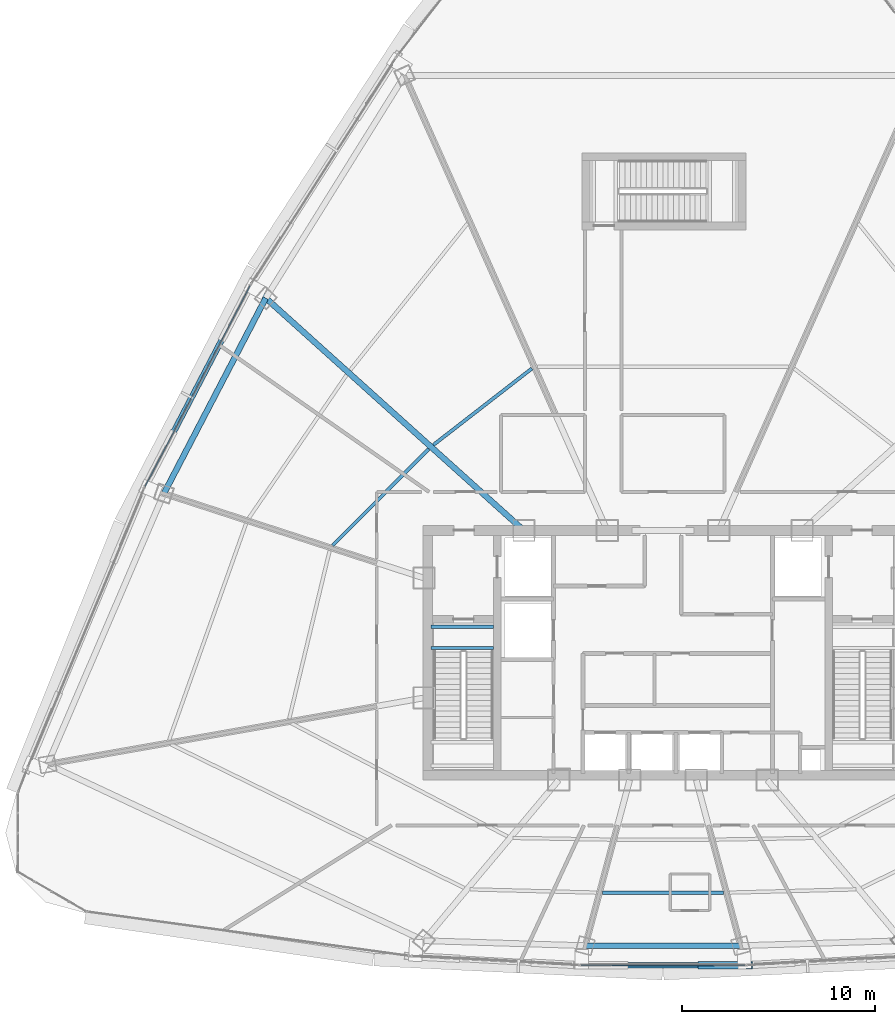
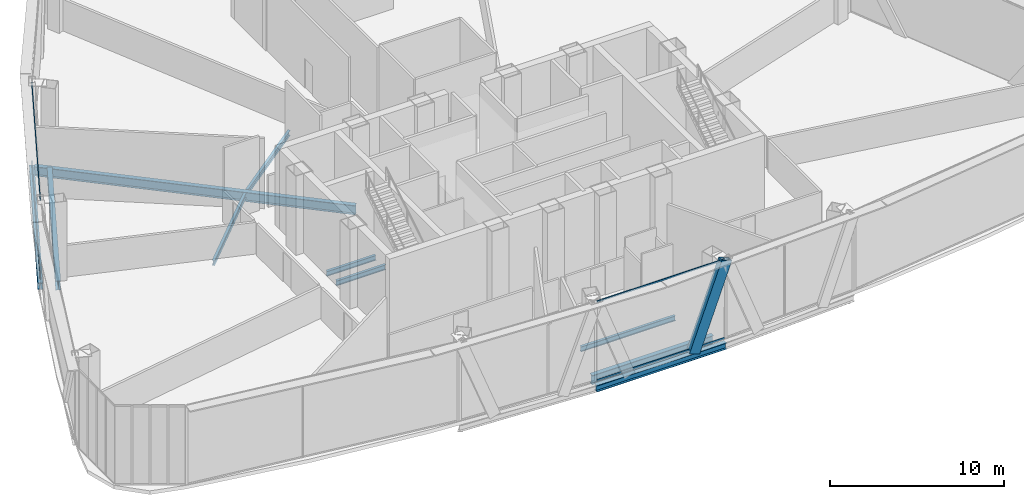
# One storey, part 9 of 38: 10 beams, 5 members, 2 elements without a shape of their own.
"""IFC4 building model written with IfcOpenShell, lengths in metres."""

from ifc_helpers import new_model, si_unit, direction, frame, origin, origin_2d, place, context, subcontext, project, spatial, hollow_rectangle, i_section, extrude, source, transform, mapped, material, layer, layer_set, material_profile, profile_set, type_object, element, aggregate, save


model = new_model("IFC4")

# Units and contexts
model_context = context("Model", 3, precision=1e-05, world=origin(), true_north=direction((0.0, 1.0)))
body_context = subcontext(model_context, "Body", "Model", "MODEL_VIEW")
ifc_project = project(units=[si_unit("LENGTHUNIT", "METRE"), si_unit("AREAUNIT", "SQUARE_METRE"), si_unit("VOLUMEUNIT", "CUBIC_METRE"), si_unit("PLANEANGLEUNIT", "RADIAN"), si_unit("MASSUNIT", "GRAM", prefix="KILO"), si_unit("THERMODYNAMICTEMPERATUREUNIT", "KELVIN"), si_unit("POWERUNIT", "WATT")], contexts=[model_context])

# Site, building, storey
site_placement = place(None, origin())
site = spatial("IfcSite", under=ifc_project, at=site_placement, CompositionType="ELEMENT")
building_placement = place(site_placement, origin())
building = spatial("IfcBuilding", under=site, at=building_placement, Name="Yunzhuo Pagoda Commons", CompositionType="ELEMENT")
storey_placement = place(building_placement, frame((0.0, 0.0, 266.909912109375)))
storey = spatial("IfcBuildingStorey", under=building, at=storey_placement, Name="L67", CompositionType="ELEMENT", Elevation=266.909912109375)

# Beams
ifc_material_1 = material(Name="Structural steel Q355B", Category="steel")
ifc_material_profile_1 = material_profile(ifc_material_1, i_section(OverallWidth=0.175048828125, OverallDepth=0.35009765625, WebThickness=0.007080078125, FlangeThickness=0.010986328125, at=origin_2d()), Name="Structural steel Q355B")
ifc_profile_set_1 = profile_set([ifc_material_profile_1], Name="Structural steel Q355B")
beam_type_1 = type_object("IfcBeamType", Name="B-JS2 Joist HN 350x175x7x11", PredefinedType="JOIST", material=ifc_profile_set_1)
shared_shape_1 = source(origin(), body_context, "Body", "SweptSolid", [
    extrude(i_section(OverallWidth=0.175048828125, OverallDepth=0.35009765625, WebThickness=0.007080078125, FlangeThickness=0.010986328125, at=origin_2d()), origin(), (0.0, 0.0, 1.0), 3.25),
])
for number, where, z_axis, x_axis, name in (
    (1, (35.949951171875, 34.10009765625, -0.375), (1.0, 0.0, 0.0), (0.0, 1.0, 0.0), "L67 ST1 landing support beam 171A"),
    (2, (35.949951171875, 35.199951171875, -0.375), (1.0, 0.0, 0.0), (0.0, 1.0, 0.0), "L67 ST1 landing support beam 171B"),
):
    element("IfcBeam", number, at=place(storey_placement, frame(where, z_axis=z_axis, x_axis=x_axis)), inside=storey, type_object=beam_type_1, Name=name, PredefinedType="JOIST", context=body_context, shape_type="MappedRepresentation", body=[
        mapped(shared_shape_1, transform((0.0, 0.0, 0.0), scale=1.0)),
    ])
ifc_material_profile_2 = material_profile(ifc_material_1, i_section(OverallWidth=0.300048828125, OverallDepth=0.64990234375, WebThickness=0.012939453125, FlangeThickness=0.02197265625, at=origin_2d()), Name="Structural steel Q355B")
ifc_profile_set_2 = profile_set([ifc_material_profile_2], Name="Structural steel Q355B")
beam_type_2 = type_object("IfcBeamType", Name="B-RG2 Beam HN 650x300x13x22", PredefinedType="BEAM", material=ifc_profile_set_2)
shared_shape_2 = source(origin(), body_context, "Body", "SweptSolid", [
    extrude(i_section(OverallWidth=0.300048828125, OverallDepth=0.64990234375, WebThickness=0.012939453125, FlangeThickness=0.02197265625, at=origin_2d()), origin(), (0.0, 0.0, 1.0), 8.06298828125),
])
beam_1_placement = place(storey_placement, frame((43.968505859375, 18.654052734375, -0.5849609375), z_axis=(1.0, 0.0, 0.0), x_axis=(0.0, 1.0, 0.0)))
element("IfcBeam", 3, at=beam_1_placement, inside=storey, type_object=beam_type_2, Name="L67 column-ring beam 2", PredefinedType="BEAM", context=body_context, shape_type="MappedRepresentation", body=[
    mapped(shared_shape_2, transform((0.0, 0.0, 0.0), scale=1.0)),
])
shared_shape_3 = source(origin(), body_context, "Body", "SweptSolid", [
    extrude(i_section(OverallWidth=0.300048828125, OverallDepth=0.64990234375, WebThickness=0.012939453125, FlangeThickness=0.02197265625, at=origin_2d()), origin(), (0.0, 0.0, 1.0), 11.43896484375),
])
beam_2_placement = place(storey_placement, frame((27.38818359375, 52.259033203125, -0.5849609375), z_axis=(-0.462142168026, -0.886805850529, 0.0), x_axis=(0.886805850529, -0.462142168026, 0.0)))
element("IfcBeam", 4, at=beam_2_placement, inside=storey, type_object=beam_type_2, Name="L67 column-ring beam 10", PredefinedType="BEAM", context=body_context, shape_type="MappedRepresentation", body=[
    mapped(shared_shape_3, transform((0.0, 0.0, 0.0), scale=1.0)),
])
shared_shape_4 = source(origin(), body_context, "Body", "SweptSolid", [
    extrude(i_section(OverallWidth=0.175048828125, OverallDepth=0.35009765625, WebThickness=0.007080078125, FlangeThickness=0.010986328125, at=origin_2d()), origin(), (0.0, 0.0, 1.0), 6.27099609375),
])
beam_3_placement = place(storey_placement, frame((44.864501953125, 21.40478515625, -0.434814453125), z_axis=(1.0, 0.0, 0.0), x_axis=(0.0, 1.0, 0.0)))
element("IfcBeam", 5, at=beam_3_placement, inside=storey, type_object=beam_type_1, Name="L67 composite ring joist 2.2", PredefinedType="JOIST", context=body_context, shape_type="MappedRepresentation", body=[
    mapped(shared_shape_4, transform((0.0, 0.0, 0.0), scale=1.0)),
])
shared_shape_5 = source(origin(), body_context, "Body", "SweptSolid", [
    extrude(i_section(OverallWidth=0.175048828125, OverallDepth=0.35009765625, WebThickness=0.007080078125, FlangeThickness=0.010986328125, at=origin_2d()), origin(), (0.0, 0.0, 1.0), 7.0732421875),
])
beam_4_placement = place(storey_placement, frame((35.847412109375, 44.4287109375, -0.434814453125), z_axis=(-0.706139657206, -0.708072584218, 0.0), x_axis=(0.708072584218, -0.706139657206, 0.0)))
element("IfcBeam", 6, at=beam_4_placement, inside=storey, type_object=beam_type_1, Name="L67 composite ring joist 1.10", PredefinedType="JOIST", context=body_context, shape_type="MappedRepresentation", body=[
    mapped(shared_shape_5, transform((0.0, 0.0, 0.0), scale=1.0)),
])
shared_shape_6 = source(origin(), body_context, "Body", "SweptSolid", [
    extrude(i_section(OverallWidth=0.175048828125, OverallDepth=0.35009765625, WebThickness=0.007080078125, FlangeThickness=0.010986328125, at=origin_2d()), origin(), (0.0, 0.0, 1.0), 6.4677734375),
])
beam_5_placement = place(storey_placement, frame((41.19580078125, 48.602783203125, -0.434814453125), z_axis=(-0.790160481991, -0.612900002202, 0.0), x_axis=(0.612900002202, -0.790160481991, 0.0)))
element("IfcBeam", 7, at=beam_5_placement, inside=storey, type_object=beam_type_1, Name="L67 composite ring joist 1.9", PredefinedType="JOIST", context=body_context, shape_type="MappedRepresentation", body=[
    mapped(shared_shape_6, transform((0.0, 0.0, 0.0), scale=1.0)),
])
shared_shape_7 = source(origin(), body_context, "Body", "SweptSolid", [
    extrude(i_section(OverallWidth=0.300048828125, OverallDepth=0.64990234375, WebThickness=0.012939453125, FlangeThickness=0.02197265625, at=origin_2d()), origin(), (0.0, 0.0, 1.0), 18.9169921875),
])
beam_6_placement = place(storey_placement, frame((26.722900390625, 52.85791015625, -0.5849609375), z_axis=(0.743145246976, -0.669130138237, 0.0), x_axis=(0.669130138237, 0.743145246976, 0.0)))
element("IfcBeam", 8, at=beam_6_placement, inside=storey, type_object=beam_type_2, Name="L67 radial floor girder F3C2", PredefinedType="BEAM", context=body_context, shape_type="MappedRepresentation", body=[
    mapped(shared_shape_7, transform((0.0, 0.0, 0.0), scale=1.0)),
])
ifc_material_profile_3 = material_profile(ifc_material_1, i_section(OverallWidth=0.300048828125, OverallDepth=0.43994140625, WebThickness=0.010986328125, FlangeThickness=0.01806640625, at=origin_2d()), Name="Structural steel Q355B")
ifc_profile_set_3 = profile_set([ifc_material_profile_3], Name="Structural steel Q355B")
beam_type_3 = type_object("IfcBeamType", Name="B-SP2 Beam HM 440x300x11x18", PredefinedType="BEAM", material=ifc_profile_set_3)
shared_shape_8 = source(origin(), body_context, "Body", "SweptSolid", [
    extrude(i_section(OverallWidth=0.300048828125, OverallDepth=0.43994140625, WebThickness=0.010986328125, FlangeThickness=0.01806640625, at=origin_2d()), origin(), (0.0, 0.0, 1.0), 8.6064453125),
])
beam_7_placement = place(storey_placement, frame((43.69677734375, 17.6396484375, -0.47998046875), z_axis=(1.0, 0.0, 0.0), x_axis=(0.0, 1.0, 0.0)))
element("IfcBeam", 9, at=beam_7_placement, inside=storey, type_object=beam_type_3, Name="L67 facade edge spandrel beam F1.2", PredefinedType="BEAM", context=body_context, shape_type="MappedRepresentation", body=[
    mapped(shared_shape_8, transform((0.0, 0.0, 0.0), scale=1.0)),
])
shared_shape_9 = source(origin(), body_context, "Body", "SweptSolid", [
    extrude(i_section(OverallWidth=0.300048828125, OverallDepth=0.43994140625, WebThickness=0.010986328125, FlangeThickness=0.01806640625, at=origin_2d()), origin(), (0.0, 0.0, 1.0), 11.875244140625),
])
beam_8_placement = place(storey_placement, frame((26.60791015625, 52.961669921875, -0.47998046875), z_axis=(-0.463576744951, -0.88605677106, 0.0), x_axis=(0.88605677106, -0.463576744951, 0.0)))
element("IfcBeam", 10, at=beam_8_placement, inside=storey, type_object=beam_type_3, Name="L67 facade edge spandrel beam F3.2", PredefinedType="BEAM", context=body_context, shape_type="MappedRepresentation", body=[
    mapped(shared_shape_9, transform((0.0, 0.0, 0.0), scale=1.0)),
])

# Member
ifc_material_profile_4 = material_profile(ifc_material_1, hollow_rectangle(XDim=0.3798828125, YDim=0.719970703125, WallThickness=0.02001953125, at=origin_2d()), Name="Structural steel Q355B")
ifc_profile_set_4 = profile_set([ifc_material_profile_4], Name="Structural steel Q355B")
member_type_1 = type_object("IfcMemberType", Name="M-DL3 Brace BOX 720x380x20", PredefinedType="BRACE", material=ifc_profile_set_4)
shared_shape_10 = source(origin(), body_context, "Body", "SweptSolid", [
    extrude(hollow_rectangle(XDim=0.3798828125, YDim=0.719970703125, WallThickness=0.02001953125, at=origin_2d()), origin(), (0.0, 0.0, 1.0), 6.214599609375),
])
member_1_placement = place(storey_placement, frame((50.151611328125, 17.6396484375, -0.260009765625), z_axis=(0.346215049264, 0.0, 0.938155178882), x_axis=(0.0, 1.0, 0.0)))
element("IfcMember", 11, at=member_1_placement, inside=storey, type_object=member_type_1, Name="L67 facade diamond brace F1.2R", PredefinedType="BRACE", context=body_context, shape_type="MappedRepresentation", body=[
    mapped(shared_shape_10, transform((0.0, 0.0, 0.0), scale=1.0)),
])

# Curtain wall, members
ifc_material_2 = material(Name="Anodized aluminium 6063-T6", Category="aluminium")
ifc_layer = layer(ifc_material_2, 0.139892578125)
ifc_layer_set = layer_set([ifc_layer], Name="Anodized aluminium 6063-T6")
curtain_wall_type = type_object("IfcCurtainWallType", Name="CW-HI High-Zone Ribbon Curtain Wall", PredefinedType="NOTDEFINED", material=ifc_layer_set)
curtain_wall_1_placement = place(storey_placement, origin())
curtain_wall_1 = element("IfcCurtainWall", 12, at=curtain_wall_1_placement, inside=storey, type_object=curtain_wall_type, Name="L67 curtain wall CW-L67-F1B3", PredefinedType="NOTDEFINED")
ifc_material_profile_5 = material_profile(ifc_material_2, hollow_rectangle(XDim=0.054931640625, YDim=0.1201171875, WallThickness=0.00341796875, at=origin_2d()), Name="Anodized aluminium 6063-T6")
ifc_profile_set_5 = profile_set([ifc_material_profile_5], Name="Anodized aluminium 6063-T6")
member_type_2 = type_object("IfcMemberType", Name="CW-HI-T Transom RHS 120x55x3.5", PredefinedType="USERDEFINED", material=ifc_profile_set_5)
shared_shape_11 = source(origin(), body_context, "Body", "SweptSolid", [
    extrude(hollow_rectangle(XDim=0.054931640625, YDim=0.1201171875, WallThickness=0.00341796875, at=origin_2d()), origin(), (0.0, 0.0, 1.0), 8.48681640625),
])
member_2_placement = place(storey_placement, frame((43.756591796875, 17.6396484375, 0.027587890625), z_axis=(1.0, 0.0, 0.0), x_axis=(0.0, 1.0, 0.0)))
member_2 = element("IfcMember", 13, at=member_2_placement, type_object=member_type_2, Name="CW transom 1.1", ObjectType="TRANSOM", PredefinedType="USERDEFINED", context=body_context, shape_type="MappedRepresentation", body=[
    mapped(shared_shape_11, transform((0.0, 0.0, 0.0), scale=1.0)),
])
member_3_placement = place(storey_placement, frame((43.756591796875, 17.6396484375, 5.54248046875), z_axis=(1.0, 0.0, 0.0), x_axis=(0.0, 1.0, 0.0)))
member_3 = element("IfcMember", 14, at=member_3_placement, type_object=member_type_2, Name="CW transom 1.2", ObjectType="TRANSOM", PredefinedType="USERDEFINED", context=body_context, shape_type="MappedRepresentation", body=[
    mapped(shared_shape_11, transform((0.0, 0.0, 0.0), scale=1.0)),
])
aggregate(curtain_wall_1, [member_2, member_3])

curtain_wall_2_placement = place(storey_placement, origin())
curtain_wall_2 = element("IfcCurtainWall", 15, at=curtain_wall_2_placement, inside=storey, type_object=curtain_wall_type, Name="L67 curtain wall CW-L67-F3B3", PredefinedType="NOTDEFINED")
shared_shape_12 = source(origin(), body_context, "Body", "SweptSolid", [
    extrude(hollow_rectangle(XDim=0.054931640625, YDim=0.1201171875, WallThickness=0.00341796875, at=origin_2d()), origin(), (0.0, 0.0, 1.0), 11.755126953125),
])
member_4_placement = place(storey_placement, frame((26.580078125, 52.908447265625, 0.027587890625), z_axis=(-0.463578557885, -0.886055822547, 0.0), x_axis=(0.886055822547, -0.463578557885, 0.0)))
member_4 = element("IfcMember", 16, at=member_4_placement, type_object=member_type_2, Name="CW transom 1.1", ObjectType="TRANSOM", PredefinedType="USERDEFINED", context=body_context, shape_type="MappedRepresentation", body=[
    mapped(shared_shape_12, transform((0.0, 0.0, 0.0), scale=1.0)),
])
member_5_placement = place(storey_placement, frame((26.580078125, 52.908447265625, 5.54248046875), z_axis=(-0.463578557885, -0.886055822547, 0.0), x_axis=(0.886055822547, -0.463578557885, 0.0)))
member_5 = element("IfcMember", 17, at=member_5_placement, type_object=member_type_2, Name="CW transom 1.2", ObjectType="TRANSOM", PredefinedType="USERDEFINED", context=body_context, shape_type="MappedRepresentation", body=[
    mapped(shared_shape_12, transform((0.0, 0.0, 0.0), scale=1.0)),
])
aggregate(curtain_wall_2, [member_4, member_5])

save(model, "model.ifc")
